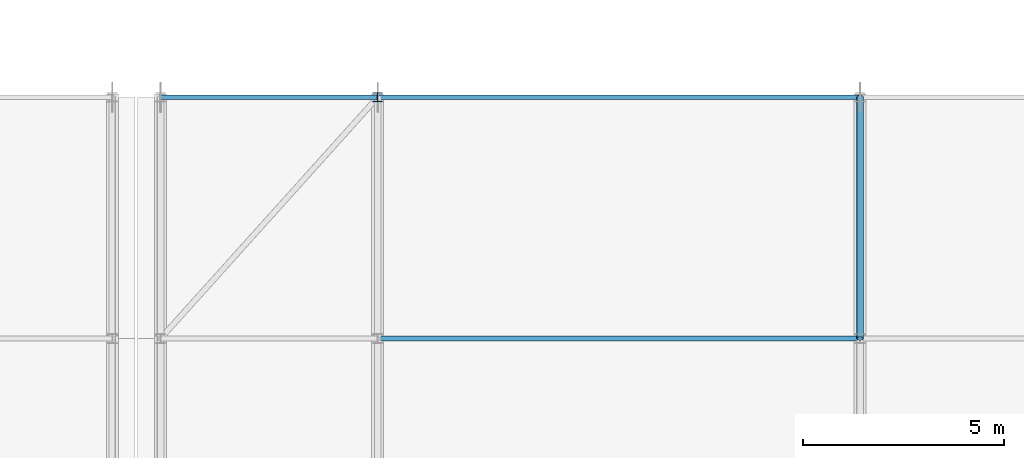
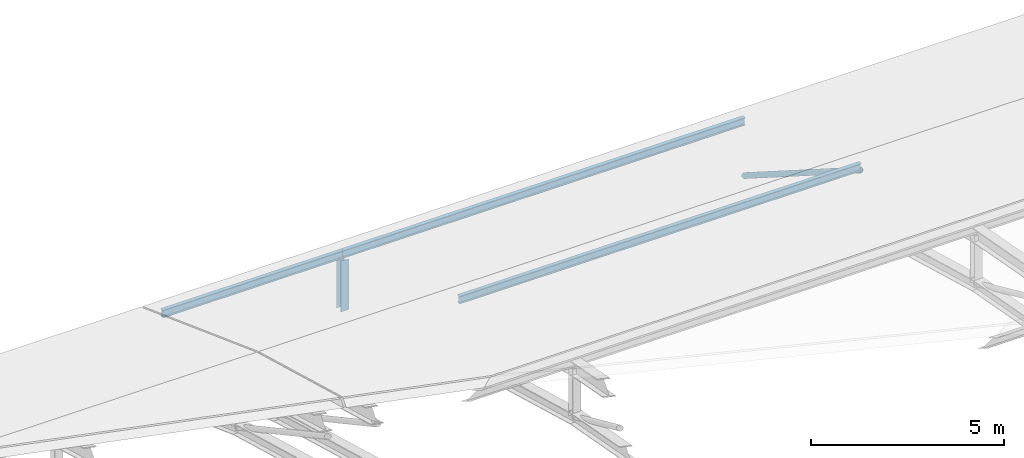
# One storey, part 104 of 204: 5 members.
"""IFC4 building model written with IfcOpenShell, lengths in metres."""

from ifc_helpers import new_model, si_unit, direction, frame, origin, origin_2d, place, context, subcontext, project, spatial, hollow_circle, i_section, extrude, material, material_profile, profile_set, type_object, element, save


model = new_model("IFC4")

# Units and contexts
model_context = context("Model", 3, precision=1e-05, world=origin(), true_north=direction((0.0, 1.0)))
body_context = subcontext(model_context, "Body", "Model", "MODEL_VIEW")
ifc_project = project(units=[si_unit("LENGTHUNIT", "METRE"), si_unit("AREAUNIT", "SQUARE_METRE"), si_unit("VOLUMEUNIT", "CUBIC_METRE"), si_unit("PLANEANGLEUNIT", "RADIAN"), si_unit("MASSUNIT", "GRAM", prefix="KILO")], contexts=[model_context])

# Site, building, storey
site_placement = place(None, origin())
site = spatial("IfcSite", under=ifc_project, at=site_placement, CompositionType="ELEMENT")
building_placement = place(site_placement, origin())
building = spatial("IfcBuilding", under=site, at=building_placement, Name="Zilviju Railside Exhibition Hall", CompositionType="ELEMENT")
storey_placement = place(building_placement, frame((0.0, 0.0, 21.0)))
storey = spatial("IfcBuildingStorey", under=building, at=storey_placement, Name="RF", CompositionType="ELEMENT", Elevation=21.0)

# Members
ifc_material = material(Name="Steel S355J2", Category="steel")
ifc_material_profile_1 = material_profile(ifc_material, hollow_circle(Radius=0.084228515625, WallThickness=0.008056640625, at=origin_2d()), Name="CHS 168.3x8.0")
ifc_profile_set_1 = profile_set([ifc_material_profile_1], Name="Steel S355J2")
member_type_1 = type_object("IfcMemberType", Name="TR-BR-CHS168", PredefinedType="BRACE", material=ifc_profile_set_1)
member_1_placement = place(storey_placement, frame((192.0, 48.0, -3.987548828125), z_axis=(0.0, 0.844023315733, -0.536306481872), x_axis=(-1.0, 0.0, 0.0)))
element("IfcMember", 1, at=member_1_placement, inside=storey, type_object=member_type_1, Name="V1 Parabolic Arch Web Diagonal X=192.0 P9", PredefinedType="BRACE", context=body_context, shape_type="SweptSolid", body=[
    extrude(hollow_circle(Radius=0.084228515625, WallThickness=0.008056640625, at=origin_2d()), origin(), (0.0, 0.0, 1.0), 7.10888671875),
])
ifc_material_profile_2 = material_profile(ifc_material, i_section(OverallWidth=0.239990234375, OverallDepth=0.22998046875, WebThickness=0.007568359375, FlangeThickness=0.011962890625, at=origin_2d()), Name="HEA 240")
ifc_profile_set_2 = profile_set([ifc_material_profile_2], Name="Steel S355J2")
member_type_2 = type_object("IfcMemberType", Name="TR-POST-HEA240", PredefinedType="POST", material=ifc_profile_set_2)
member_2_placement = place(storey_placement, frame((180.0, 54.0, -7.800048828125), z_axis=(0.0, 0.0, 1.0), x_axis=(1.0, 0.0, 0.0)))
element("IfcMember", 2, at=member_2_placement, inside=storey, type_object=member_type_2, Name="V1 Parabolic Arch Web Post X=180.0 N9", PredefinedType="POST", context=body_context, shape_type="SweptSolid", body=[
    extrude(i_section(OverallWidth=0.239990234375, OverallDepth=0.22998046875, WebThickness=0.007568359375, FlangeThickness=0.011962890625, at=origin_2d()), origin(), (0.0, 0.0, 1.0), 1.60009765625),
])
ifc_material_profile_3 = material_profile(ifc_material, i_section(OverallWidth=0.1201171875, OverallDepth=0.239990234375, WebThickness=0.006103515625, FlangeThickness=0.009765625, at=origin_2d()), Name="IPE 240")
ifc_profile_set_3 = profile_set([ifc_material_profile_3], Name="Steel S355J2")
member_type_3 = type_object("IfcMemberType", Name="TR-PUR-IPE240", PredefinedType="PURLIN", material=ifc_profile_set_3)
member_3_placement = place(storey_placement, frame((174.60009765625, 54.0, -6.05517578125), z_axis=(1.0, 0.0, 0.0), x_axis=(0.0, 1.0, 0.0)))
element("IfcMember", 3, at=member_3_placement, inside=storey, type_object=member_type_3, Name="V1 Barrel Vault Roof Purlin Y=54.0 (174.6..180.0)", PredefinedType="PURLIN", context=body_context, shape_type="SweptSolid", body=[
    extrude(i_section(OverallWidth=0.1201171875, OverallDepth=0.239990234375, WebThickness=0.006103515625, FlangeThickness=0.009765625, at=origin_2d()), origin(), (0.0, 0.0, 1.0), 5.39990234375),
])
for number, where, z_axis, x_axis, name in (
    (4, (180.0, 48.0, -3.864990234375), (1.0, 0.0, 0.0), (0.0, 1.0, 0.0), "V1 Barrel Vault Roof Purlin Y=48.0 (180.0..192.0)"),
    (5, (180.0, 54.0, -6.05517578125), (1.0, 0.0, 0.0), (0.0, 1.0, 0.0), "V1 Barrel Vault Roof Purlin Y=54.0 (180.0..192.0)"),
):
    element("IfcMember", number, at=place(storey_placement, frame(where, z_axis=z_axis, x_axis=x_axis)), inside=storey, type_object=member_type_3, Name=name, PredefinedType="PURLIN", context=body_context, shape_type="SweptSolid", body=[
        extrude(i_section(OverallWidth=0.1201171875, OverallDepth=0.239990234375, WebThickness=0.006103515625, FlangeThickness=0.009765625, at=origin_2d()), origin(), (0.0, 0.0, 1.0), 12.0),
    ])

save(model, "model.ifc")
